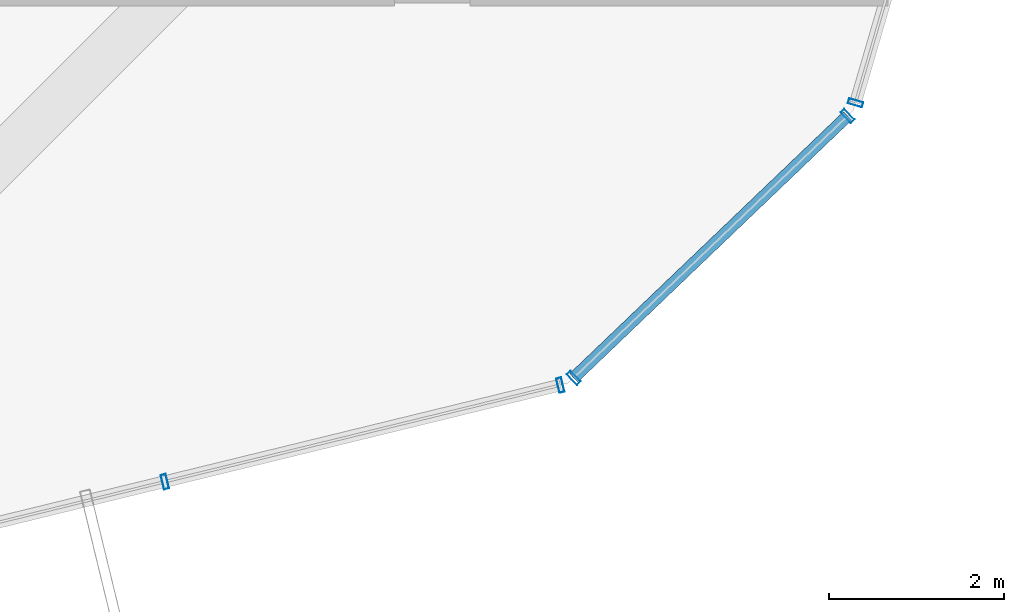
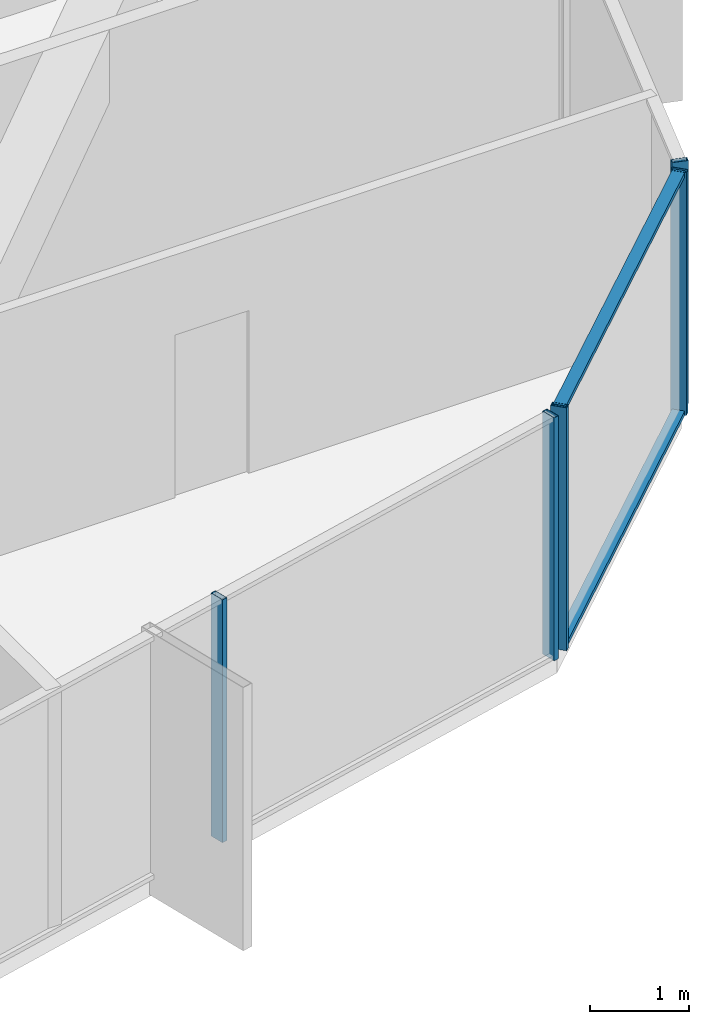
# One storey, part 12 of 37: 7 members, 3 elements without a shape of their own.
"""IFC4 building model written with IfcOpenShell, lengths in metres."""

from ifc_helpers import new_model, si_unit, direction, frame, origin, origin_2d, place, context, subcontext, project, spatial, hollow_rectangle, extrude, source, transform, mapped, material, layer, layer_set, material_profile, profile_set, type_object, element, aggregate, save


model = new_model("IFC4")

# Units and contexts
model_context = context("Model", 3, precision=1e-05, world=origin(), true_north=direction((0.0, 1.0)))
body_context = subcontext(model_context, "Body", "Model", "MODEL_VIEW")
ifc_project = project(units=[si_unit("LENGTHUNIT", "METRE"), si_unit("AREAUNIT", "SQUARE_METRE"), si_unit("VOLUMEUNIT", "CUBIC_METRE"), si_unit("PLANEANGLEUNIT", "RADIAN"), si_unit("MASSUNIT", "GRAM", prefix="KILO")], contexts=[model_context])

# Site, building, storey
site_placement = place(None, origin())
site = spatial("IfcSite", under=ifc_project, at=site_placement, CompositionType="ELEMENT")
building_placement = place(site_placement, origin())
building = spatial("IfcBuilding", under=site, at=building_placement, Name="Veraguas Prism Commons", CompositionType="ELEMENT")
storey_placement = place(building_placement, frame((0.0, 0.0, 70.60009765625)))
storey = spatial("IfcBuildingStorey", under=building, at=storey_placement, Name="L19", CompositionType="ELEMENT", Elevation=70.60009765625)

# Curtain wall, members
ifc_material = material(Name="Anodised aluminium EN AW-6063 T6", Category="aluminium")
ifc_layer = layer(ifc_material, 0.169921875, Name="Unitised Flush Curtain Wall Zone 1", Category="aluminium")
ifc_layer_set = layer_set([ifc_layer], Name="Anodised aluminium EN AW-6063 T6")
curtain_wall_type = type_object("IfcCurtainWallType", Name="Unitised Flush Curtain Wall Zone 1", PredefinedType="NOTDEFINED", material=ifc_layer_set)
curtain_wall_1_placement = place(storey_placement, origin())
curtain_wall_1 = element("IfcCurtainWall", 1, at=curtain_wall_1_placement, inside=storey, type_object=curtain_wall_type, Name="Chamfer Curtain Wall L19-C6", PredefinedType="NOTDEFINED")
ifc_material_profile_1 = material_profile(ifc_material, hollow_rectangle(XDim=0.054931640625, YDim=0.135009765625, WallThickness=0.0029296875, at=origin_2d()), Name="AL55X135X3")
ifc_profile_set_1 = profile_set([ifc_material_profile_1], Name="Anodised aluminium EN AW-6063 T6")
member_type_1 = type_object("IfcMemberType", Name="Curtain Wall Transom Standard AL 55x135x3", PredefinedType="USERDEFINED", material=ifc_profile_set_1)
shared_shape_1 = source(origin(), body_context, "Body", "SweptSolid", [
    extrude(hollow_rectangle(XDim=0.054931640625, YDim=0.135009765625, WallThickness=0.0029296875, at=origin_2d()), origin(), (0.0, 0.0, 1.0), 4.31982421875),
])
member_1_placement = place(storey_placement, frame((38.12841796875, 6.1005859375, 0.02734375), z_axis=(0.72272654203, 0.691134100914, 0.0), x_axis=(0.0, 0.0, 1.0)))
member_1 = element("IfcMember", 2, at=member_1_placement, type_object=member_type_1, Name="CW-Z1 Transom 1", ObjectType="TRANSOM", PredefinedType="USERDEFINED", context=body_context, shape_type="MappedRepresentation", body=[
    mapped(shared_shape_1, transform((0.0, 0.0, 0.0), scale=1.0)),
])
member_2_placement = place(storey_placement, frame((38.12841796875, 6.1005859375, 2.972412109375), z_axis=(0.72272654203, 0.691134100914, 0.0), x_axis=(0.0, 0.0, 1.0)))
member_2 = element("IfcMember", 3, at=member_2_placement, type_object=member_type_1, Name="CW-Z1 Transom 2", ObjectType="TRANSOM", PredefinedType="USERDEFINED", context=body_context, shape_type="MappedRepresentation", body=[
    mapped(shared_shape_1, transform((0.0, 0.0, 0.0), scale=1.0)),
])

curtain_wall_2_placement = place(storey_placement, origin())
curtain_wall_2 = element("IfcCurtainWall", 4, at=curtain_wall_2_placement, inside=storey, type_object=curtain_wall_type, Name="Tower Facade Curtain Wall L19-F5", PredefinedType="NOTDEFINED")
ifc_material_profile_2 = material_profile(ifc_material, hollow_rectangle(XDim=0.06005859375, YDim=0.169921875, WallThickness=0.00390625, at=origin_2d()), Name="AL60X170X4")
ifc_profile_set_2 = profile_set([ifc_material_profile_2], Name="Anodised aluminium EN AW-6063 T6")
member_type_2 = type_object("IfcMemberType", Name="Curtain Wall Mullion Lower AL 60x170x4", PredefinedType="MULLION", material=ifc_profile_set_2)
shared_shape_2 = source(origin(), body_context, "Body", "SweptSolid", [
    extrude(hollow_rectangle(XDim=0.06005859375, YDim=0.169921875, WallThickness=0.00390625, at=origin_2d()), origin(), (0.0, 0.0, 1.0), 3.0),
])
member_3_placement = place(storey_placement, frame((33.46728515625, 4.916259765625, 0.0), z_axis=(0.0, 0.0, 1.0), x_axis=(0.971464732867, 0.237184048359, 0.0)))
member_3 = element("IfcMember", 5, at=member_3_placement, type_object=member_type_2, Name="CW-Z1 Mullion 4", PredefinedType="MULLION", context=body_context, shape_type="MappedRepresentation", body=[
    mapped(shared_shape_2, transform((0.0, 0.0, 0.0), scale=1.0)),
])
member_4_placement = place(storey_placement, frame((37.975830078125, 6.01708984375, 0.0), z_axis=(0.0, 0.0, 1.0), x_axis=(0.971464732867, 0.237184048359, 0.0)))
member_4 = element("IfcMember", 6, at=member_4_placement, type_object=member_type_2, Name="CW-Z1 Mullion 5", PredefinedType="MULLION", context=body_context, shape_type="MappedRepresentation", body=[
    mapped(shared_shape_2, transform((0.0, 0.0, 0.0), scale=1.0)),
])
aggregate(curtain_wall_2, [member_3, member_4])

# Curtain wall, member
curtain_wall_3_placement = place(storey_placement, origin())
curtain_wall_3 = element("IfcCurtainWall", 7, at=curtain_wall_3_placement, inside=storey, type_object=curtain_wall_type, Name="Tower Facade Curtain Wall L19-F6", PredefinedType="NOTDEFINED")
member_5_placement = place(storey_placement, frame((41.3408203125, 9.23486328125, 0.0), z_axis=(0.0, 0.0, 1.0), x_axis=(0.280333331925, 0.959902715389, 0.0)))
member_5 = element("IfcMember", 8, at=member_5_placement, type_object=member_type_2, Name="CW-Z1 Mullion 1", PredefinedType="MULLION", context=body_context, shape_type="MappedRepresentation", body=[
    mapped(shared_shape_2, transform((0.0, 0.0, 0.0), scale=1.0)),
])
aggregate(curtain_wall_3, [member_5])

# Member
member_6_placement = place(storey_placement, frame((38.12841796875, 6.1005859375, 0.0), z_axis=(0.0, 0.0, 1.0), x_axis=(0.722729557176, 0.691130947929, 0.0)))
member_6 = element("IfcMember", 9, at=member_6_placement, type_object=member_type_2, Name="CW-Z1 Mullion 1", PredefinedType="MULLION", context=body_context, shape_type="MappedRepresentation", body=[
    mapped(shared_shape_2, transform((0.0, 0.0, 0.0), scale=1.0)),
])

member_7_placement = place(storey_placement, frame((41.25048828125, 9.086181640625, 0.0), z_axis=(0.0, 0.0, 1.0), x_axis=(0.722729557176, 0.691130947929, 0.0)))
member_7 = element("IfcMember", 10, at=member_7_placement, type_object=member_type_2, Name="CW-Z1 Mullion 2", PredefinedType="MULLION", context=body_context, shape_type="MappedRepresentation", body=[
    mapped(shared_shape_2, transform((0.0, 0.0, 0.0), scale=1.0)),
])

aggregate(curtain_wall_1, [member_6, member_7, member_1, member_2])

save(model, "model.ifc")
